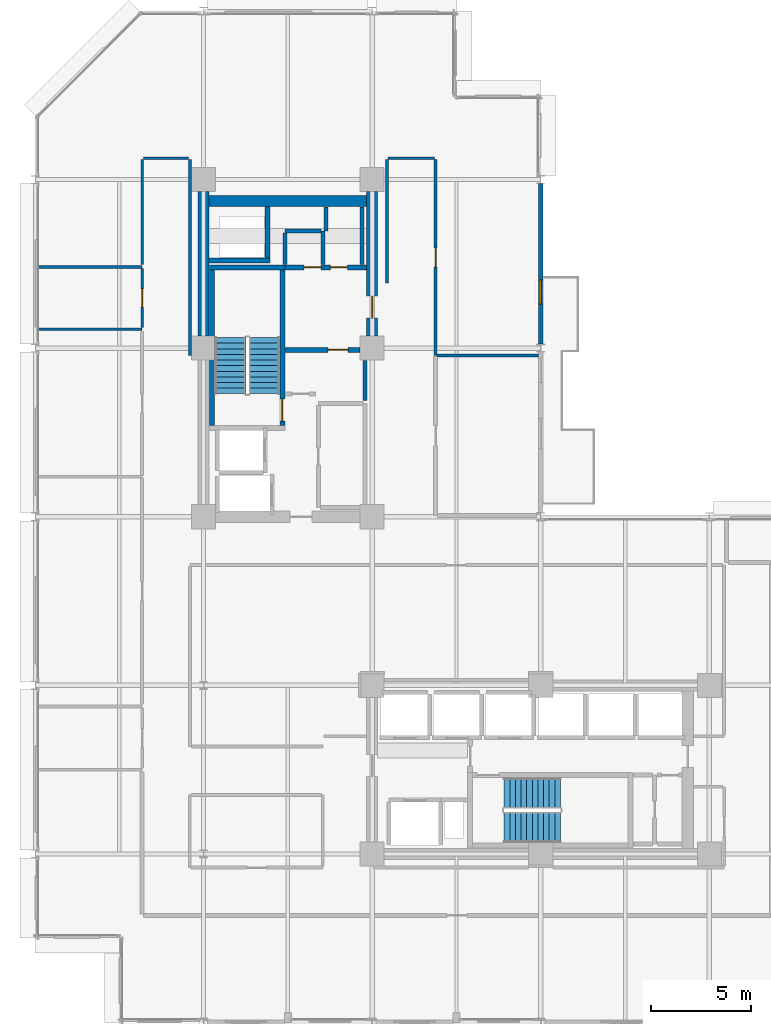
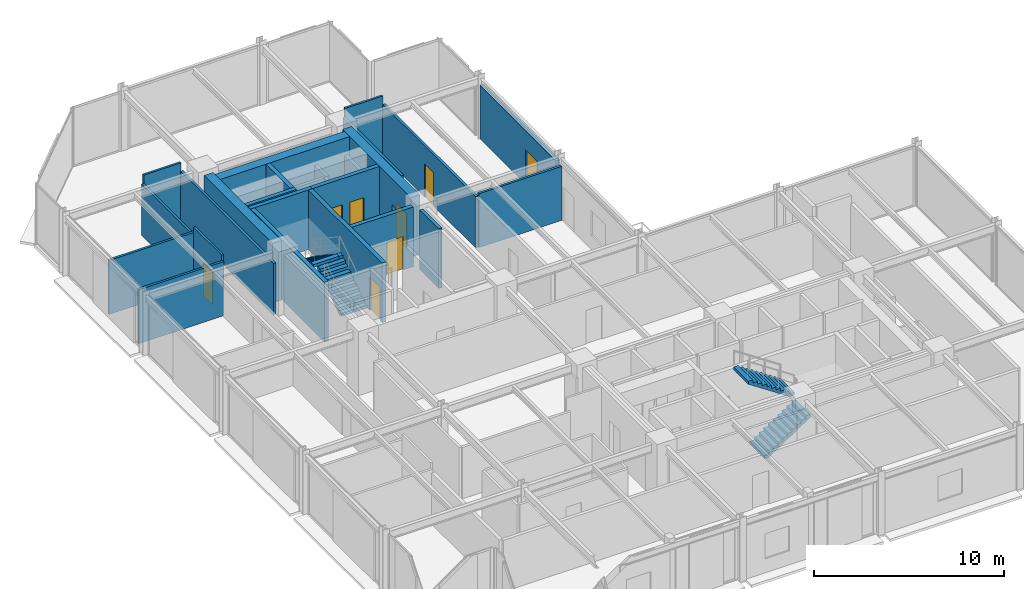
# One storey, part 26 of 30: 27 walls, 8 doors, 4 stair flights, 8 openings, 2 elements without a shape of their own.
"""IFC4 building model written with IfcOpenShell, lengths in metres."""

import ifcopenshell
import ifcopenshell.guid

model = None  # the IFC model being written
_history = None  # IfcOwnerHistory: only IFC2X3 demands one
_inside = {}  # id of a spatial element -> (the spatial element, [elements in it])
_under = {}  # id of a project, library or spatial element -> (it, [spatial elements below it])
_declared = {}  # id of a project -> (the project, [libraries it declares])
_typed = {}  # id of a type object -> (the type object, [elements of that type])
_made_of = {}  # id of a material, layer set ... -> (it, [elements and type objects made of it])


def new_model(schema):
    """Start an empty IFC model of exactly this schema.

    Asked for "IFC4X3", IfcOpenShell would pick the latest addendum, in which some entities
    have other attributes; the version numbers below select the first issue.
    IFC2X3 requires an IfcOwnerHistory on every rooted entity: one is made here for all.
    """
    global model, _history
    if schema == "IFC4X3":
        model = ifcopenshell.file(schema_version=(4, 3, 0, 0))
    else:
        model = ifcopenshell.file(schema=schema)
    _inside.clear()
    _under.clear()
    _declared.clear()
    _typed.clear()
    _made_of.clear()
    _history = None
    if model.schema == "IFC2X3":
        org = make("IfcOrganization", Name="unknown")
        user = make(
            "IfcPersonAndOrganization",
            ThePerson=make("IfcPerson", FamilyName="unknown"),
            TheOrganization=org,
        )
        app = make(
            "IfcApplication",
            ApplicationDeveloper=org,
            Version="unknown",
            ApplicationFullName="unknown",
            ApplicationIdentifier="unknown",
        )
        _history = make(
            "IfcOwnerHistory",
            OwningUser=user,
            OwningApplication=app,
            ChangeAction="ADDED",
            CreationDate=0,
        )
    return model


def make(cls, **values):
    """One entity of the class cls with the attributes given. An attribute that is None is left unset."""
    return model.create_entity(
        cls, **{name: value for name, value in values.items() if value is not None}
    )


def rooted(cls, **values):
    """An entity with a GlobalId (a new one), such as an element, a storey or a relation."""
    return make(cls, GlobalId=ifcopenshell.guid.new(), OwnerHistory=_history, **values)


def si_unit(unit_type, name, prefix=None):
    """IfcSIUnit, for example si_unit("LENGTHUNIT", "METRE", prefix="MILLI")."""
    return make("IfcSIUnit", UnitType=unit_type, Prefix=prefix, Name=name)


def assignment(units):
    """IfcUnitAssignment: the units of a project."""
    return None if units is None else make("IfcUnitAssignment", Units=units)


def point(xyz):
    """IfcCartesianPoint."""
    return None if xyz is None else make("IfcCartesianPoint", Coordinates=xyz)


def direction(xyz):
    """IfcDirection."""
    return None if xyz is None else make("IfcDirection", DirectionRatios=xyz)


def frame(location, z_axis=None, x_axis=None):
    """IfcAxis2Placement3D, a coordinate frame: its origin and axes. An axis left out is left unset."""
    return make(
        "IfcAxis2Placement3D",
        Location=point(location),
        Axis=direction(z_axis),
        RefDirection=direction(x_axis),
    )


def frame_2d(location, x_axis=None):
    """IfcAxis2Placement2D, a coordinate frame in the plane: its origin and x axis."""
    return make(
        "IfcAxis2Placement2D", Location=point(location), RefDirection=direction(x_axis)
    )


def origin():
    """The frame at (0, 0, 0) with its axes left unset."""
    return frame((0.0, 0.0, 0.0))


def place(relative_to, where):
    """IfcLocalPlacement: puts the frame where relative to a parent placement (None: the world)."""
    return make(
        "IfcLocalPlacement", PlacementRelTo=relative_to, RelativePlacement=where
    )


def context(
    kind, dimensions, precision=None, world=None, true_north=None, identifier=None
):
    """IfcGeometricRepresentationContext, for example the 3D "Model" context."""
    return make(
        "IfcGeometricRepresentationContext",
        ContextIdentifier=identifier,
        ContextType=kind,
        CoordinateSpaceDimension=dimensions,
        Precision=precision,
        WorldCoordinateSystem=world,
        TrueNorth=true_north,
    )


def subcontext(parent, identifier, kind, view, scale=None):
    """IfcGeometricRepresentationSubContext, for example "Body" below "Model"."""
    return make(
        "IfcGeometricRepresentationSubContext",
        ContextIdentifier=identifier,
        ContextType=kind,
        ParentContext=parent,
        TargetScale=scale,
        TargetView=view,
    )


def project(units=None, contexts=None):
    """IfcProject with its units and contexts."""
    return rooted(
        "IfcProject",
        Name="project",
        RepresentationContexts=contexts,
        UnitsInContext=assignment(units),
    )


def spatial(cls, under=None, at=None, **own):
    """A site, building, storey or space (cls), placed at a placement, below another one or the project."""
    s = rooted(cls, ObjectPlacement=at, **own)
    if under is not None:
        _under.setdefault(under.id(), (under, []))[1].append(s)
    return s


def polyline(points):
    """IfcPolyline through the points."""
    return make("IfcPolyline", Points=[point(p) for p in points])


def profile(cls, at=None, kind="AREA", **sizes):
    """A parametric profile (cls). Its sizes go by their IFC names, for example OverallWidth=200.0."""
    return make(cls, ProfileType=kind, Position=at, **sizes)


def rectangle(**sizes):
    """IfcRectangleProfileDef."""
    return profile("IfcRectangleProfileDef", **sizes)


def outline(outer, holes=None, kind="AREA"):
    """IfcArbitraryClosedProfileDef: a profile drawn as a closed curve; with holes, ...WithVoids."""
    if holes is None:
        return make("IfcArbitraryClosedProfileDef", ProfileType=kind, OuterCurve=outer)
    return make(
        "IfcArbitraryProfileDefWithVoids",
        ProfileType=kind,
        OuterCurve=outer,
        InnerCurves=holes,
    )


def extrude(swept, where, along, depth):
    """IfcExtrudedAreaSolid: the profile swept, set in the frame where, extruded along a direction by depth."""
    return make(
        "IfcExtrudedAreaSolid",
        SweptArea=swept,
        Position=where,
        ExtrudedDirection=direction(along),
        Depth=depth,
    )


def shape(context_of_items, identifier, shape_type, items):
    """IfcShapeRepresentation: the items that make up one representation, for example the "Body"."""
    return make(
        "IfcShapeRepresentation",
        ContextOfItems=context_of_items,
        RepresentationIdentifier=identifier,
        RepresentationType=shape_type,
        Items=items,
    )


def material(Name=None, Category=None):
    """IfcMaterial."""
    return make("IfcMaterial", Name=Name, Category=Category)


def layer(
    of_material, thickness, ventilated=None, Name=None, Category=None, Priority=None
):
    """IfcMaterialLayer: one layer of a wall or slab, of a material (None: an air gap)."""
    return make(
        "IfcMaterialLayer",
        Material=of_material,
        LayerThickness=thickness,
        IsVentilated=ventilated,
        Name=Name,
        Category=Category,
        Priority=Priority,
    )


def layer_set(layers, Name=None):
    """IfcMaterialLayerSet."""
    return make("IfcMaterialLayerSet", MaterialLayers=layers, LayerSetName=Name)


def made_of(thing, what):
    """Note that an element or type object is made of a material, layer set ...; save() writes the relation."""
    if what is not None:
        _made_of.setdefault(what.id(), (what, []))[1].append(thing)
    return thing


def type_object(cls, material=None, **own):
    """A type object (cls), such as IfcWallType, which elements share."""
    return made_of(rooted(cls, **own), material)


def element(
    cls,
    number,
    at=None,
    inside=None,
    cuts=None,
    type_object=None,
    material=None,
    context=None,
    identifier="Body",
    shape_type=None,
    held_by="IfcProductDefinitionShape",
    body=None,
    shapes=None,
    **own,
):
    """One element of the class cls, such as IfcWall. Its Tag is "e" and its number.

    at: its placement. inside: the storey or other place that contains it. cuts: it is an
    opening in that element (IfcRelVoidsElement). A single representation is given by context,
    identifier, shape_type and body (its items); several are given by shapes. held_by: the class
    of the entity that holds the representations. save() writes the other relations.
    """
    e = rooted(cls, Tag="e%d" % number, ObjectPlacement=at, **own)
    if body is not None:
        shapes = [shape(context, identifier, shape_type, body)]
    if shapes is not None:
        e.Representation = make(held_by, Representations=shapes)
    if inside is not None:
        _inside.setdefault(inside.id(), (inside, []))[1].append(e)
    if cuts is not None:
        rooted(
            "IfcRelVoidsElement", RelatingBuildingElement=cuts, RelatedOpeningElement=e
        )
    if type_object is not None:
        _typed.setdefault(type_object.id(), (type_object, []))[1].append(e)
    return made_of(e, material)


def fill(opening, filler):
    """IfcRelFillsElement: the door or window that sits in an opening."""
    return rooted(
        "IfcRelFillsElement",
        RelatingOpeningElement=opening,
        RelatedBuildingElement=filler,
    )


def aggregate(whole, parts):
    """IfcRelAggregates: a whole, such as a stair, and the parts it consists of."""
    return rooted("IfcRelAggregates", RelatingObject=whole, RelatedObjects=parts)


def save(model, path):
    """Write the relations noted so far, then the file.

    IfcRelAggregates (storeys below a building ...), IfcRelContainedInSpatialStructure (elements
    in a storey), IfcRelDefinesByType, IfcRelAssociatesMaterial and IfcRelDeclares: one each for
    every whole, place, type object, material and project.
    """
    for whole, parts in _under.values():
        aggregate(whole, parts)
    for where, things in _inside.values():
        rooted(
            "IfcRelContainedInSpatialStructure",
            RelatedElements=things,
            RelatingStructure=where,
        )
    for kind, things in _typed.values():
        rooted("IfcRelDefinesByType", RelatedObjects=things, RelatingType=kind)
    for what, things in _made_of.values():
        rooted("IfcRelAssociatesMaterial", RelatedObjects=things, RelatingMaterial=what)
    for by, libraries in _declared.values():
        rooted("IfcRelDeclares", RelatingContext=by, RelatedDefinitions=libraries)
    model.write(path)


model = new_model("IFC4")

# Units and contexts
model_context = context("Model", 3, precision=1e-05, world=origin(), true_north=direction((0.0, 1.0)))
body_context = subcontext(model_context, "Body", "Model", "MODEL_VIEW")
ifc_project = project(units=[si_unit("LENGTHUNIT", "METRE"), si_unit("AREAUNIT", "SQUARE_METRE"), si_unit("VOLUMEUNIT", "CUBIC_METRE"), si_unit("PLANEANGLEUNIT", "RADIAN"), si_unit("MASSUNIT", "GRAM", prefix="KILO")], contexts=[model_context])

# Site, building, storey
site_placement = place(None, origin())
site = spatial("IfcSite", under=ifc_project, at=site_placement, CompositionType="ELEMENT")
building_placement = place(site_placement, origin())
building = spatial("IfcBuilding", under=site, at=building_placement, Name="Nerrivon Quay Data Exchange", CompositionType="ELEMENT")
storey_placement = place(building_placement, frame((0.0, 0.0, 129.5)))
storey = spatial("IfcBuildingStorey", under=building, at=storey_placement, Name="L30", CompositionType="ELEMENT", Elevation=129.5)

# Wall, opening, door
ifc_material_1 = material(Name="Architectural terracotta precast concrete N50 (50 MPa)", Category="masonry")
ifc_layer_1 = layer(ifc_material_1, 0.239990234375)
ifc_layer_set_1 = layer_set([ifc_layer_1], Name="Architectural terracotta precast concrete N50 (50 MPa)")
wall_type_1 = type_object("IfcWallType", Name="EW-PREC-240", PredefinedType="STANDARD", material=ifc_layer_set_1)
wall_1_placement = place(storey_placement, frame((25.199951171875, 41.800048828125, 0.0), z_axis=(0.0, 0.0, 1.0), x_axis=(0.0, -1.0, 0.0)))
wall_1 = element("IfcWall", 1, at=wall_1_placement, inside=storey, type_object=wall_type_1, Name="L30 Terrace Host Wall 24", PredefinedType="STANDARD", context=body_context, shape_type="SweptSolid", body=[
    extrude(rectangle(XDim=8.0, YDim=0.239990234375, at=frame_2d((4.0, 0.0))), origin(), (0.0, 0.0, 1.0), 3.422119140625),
])
opening_1_placement = place(wall_1_placement, frame((4.800048828125, 0.0, 0.0)))
opening_1 = element("IfcOpeningElement", 2, at=opening_1_placement, cuts=wall_1, Name="Opening TD1", PredefinedType="OPENING", context=body_context, shape_type="SweptSolid", body=[
    extrude(rectangle(XDim=1.199951171875, YDim=2.199951171875, at=frame_2d((0.60009765625, 1.10009765625))), frame((0.0, 0.1298828125, 0.0), z_axis=(0.0, -1.0, 0.0), x_axis=(1.0, 0.0, 0.0)), (0.0, 0.0, 1.0), 0.260009765625),
])
ifc_material_2 = material(Name="Double-glazed low-E solar control glass", Category="glass")
door_type_1 = type_object("IfcDoorType", Name="DR-TERR-1200x2200", OperationType="NOTDEFINED", PredefinedType="DOOR", material=ifc_material_2)
door_1_placement = place(opening_1_placement, origin())
door_1 = element("IfcDoor", 3, at=door_1_placement, inside=storey, type_object=door_type_1, Name="L30 Outdoor Terrace Access Door 24", OperationType="SINGLE_SWING_LEFT", OverallHeight=2.199951171875, OverallWidth=1.199951171875, PredefinedType="DOOR", context=body_context, shape_type="SweptSolid", body=[
    extrude(rectangle(XDim=1.199951171875, YDim=2.199951171875, at=frame_2d((0.60009765625, 1.10009765625))), frame((0.0, 0.02490234375, 0.0), z_axis=(0.0, -1.0, 0.0), x_axis=(1.0, 0.0, 0.0)), (0.0, 0.0, 1.0), 0.050048828125),
])
fill(opening_1, door_1)

# Walls
ifc_material_3 = material(Name="Concrete S65 (65 MPa)", Category="concrete")
ifc_layer_2 = layer(ifc_material_3, 0.550048828125)
ifc_layer_set_2 = layer_set([ifc_layer_2], Name="Concrete S65 (65 MPa)")
wall_type_2 = type_object("IfcWallType", Name="WALL-CW-700", PredefinedType="SHEAR", material=ifc_layer_set_2)
wall_2_placement = place(storey_placement, frame((8.39990234375, 34.199951171875, 0.0), z_axis=(0.0, 0.0, 1.0), x_axis=(0.0, 1.0, 0.0)))
element("IfcWall", 4, at=wall_2_placement, inside=storey, type_object=wall_type_2, Name="L30 West Split-Core Shear Wall WCW-W2", PredefinedType="SHEAR", context=body_context, shape_type="SweptSolid", body=[
    extrude(rectangle(XDim=7.199951171875, YDim=0.550048828125, at=frame_2d((3.60009765625, 0.0))), origin(), (0.0, 0.0, 1.0), 3.824951171875),
])
wall_3_placement = place(storey_placement, frame((8.675048828125, 40.925048828125, 0.0), z_axis=(0.0, 0.0, 1.0), x_axis=(1.0, 0.0, 0.0)))
element("IfcWall", 5, at=wall_3_placement, inside=storey, type_object=wall_type_2, Name="L30 West Split-Core Shear Wall WCW-N1", PredefinedType="SHEAR", context=body_context, shape_type="SweptSolid", body=[
    extrude(rectangle(XDim=7.849853515625, YDim=0.550048828125, at=frame_2d((3.9248046875, 0.0))), origin(), (0.0, 0.0, 1.0), 3.824951171875),
])

# Wall, opening, door
wall_4_placement = place(storey_placement, frame((16.800048828125, 34.199951171875, 0.0), z_axis=(0.0, 0.0, 1.0), x_axis=(0.0, 1.0, 0.0)))
wall_4 = element("IfcWall", 6, at=wall_4_placement, inside=storey, type_object=wall_type_2, Name="L30 West Split-Core Shear Wall WCW-E1", PredefinedType="SHEAR", context=body_context, shape_type="SweptSolid", body=[
    extrude(rectangle(XDim=7.199951171875, YDim=0.550048828125, at=frame_2d((3.60009765625, 0.0))), origin(), (0.0, 0.0, 1.0), 3.824951171875),
])
opening_2_placement = place(wall_4_placement, frame((0.89990234375, 0.0, 0.0)))
opening_2 = element("IfcOpeningElement", 7, at=opening_2_placement, cuts=wall_4, Name="Opening FD-120", PredefinedType="OPENING", context=body_context, shape_type="SweptSolid", body=[
    extrude(rectangle(XDim=1.10009765625, YDim=2.14990234375, at=frame_2d((0.550048828125, 1.074951171875))), frame((0.0, 0.284912109375, 0.0), z_axis=(0.0, -1.0, 0.0), x_axis=(1.0, 0.0, 0.0)), (0.0, 0.0, 1.0), 0.570068359375),
])
ifc_material_4 = material(Name="Powder-coated galvanized steel sheet", Category="steel")
door_type_2 = type_object("IfcDoorType", Name="DR-FD120-1100", OperationType="NOTDEFINED", PredefinedType="DOOR", material=ifc_material_4)
door_2_placement = place(opening_2_placement, origin())
door_2 = element("IfcDoor", 8, at=door_2_placement, inside=storey, type_object=door_type_2, Name="L30 West Core Lobby Fire Door", OperationType="SINGLE_SWING_LEFT", OverallHeight=2.14990234375, OverallWidth=1.10009765625, PredefinedType="DOOR", context=body_context, shape_type="SweptSolid", body=[
    extrude(rectangle(XDim=1.10009765625, YDim=2.14990234375, at=frame_2d((0.550048828125, 1.074951171875))), frame((0.0, 0.02490234375, 0.0), z_axis=(0.0, -1.0, 0.0), x_axis=(1.0, 0.0, 0.0)), (0.0, 0.0, 1.0), 0.050048828125),
])
fill(opening_2, door_2)

# Walls
ifc_material_5 = material(Name="Gypsum plasterboard on cold-formed framing", Category="gypsum")
ifc_layer_3 = layer(ifc_material_5, 0.199951171875)
ifc_layer_set_3 = layer_set([ifc_layer_3], Name="Gypsum plasterboard on cold-formed framing")
wall_type_3 = type_object("IfcWallType", Name="WALL-FW-200", PredefinedType="PARTITIONING", material=ifc_layer_set_3)
wall_5_placement = place(storey_placement, frame((16.449951171875, 31.0, 0.0), z_axis=(0.0, 0.0, 1.0), x_axis=(0.0, 1.0, 0.0)))
element("IfcWall", 9, at=wall_5_placement, inside=storey, type_object=wall_type_3, Name="L30 Partition Core Equipment Closet", PredefinedType="PARTITIONING", context=body_context, shape_type="SweptSolid", body=[
    extrude(rectangle(XDim=1.9951171875, YDim=0.199951171875, at=frame_2d((0.99755859375, 0.0))), origin(), (0.0, 0.0, 1.0), 3.824951171875),
])
wall_6_placement = place(storey_placement, frame((14.35009765625, 37.780029296875, 0.0), z_axis=(0.0, 0.0, 1.0), x_axis=(0.0, 1.0, 0.0)))
element("IfcWall", 10, at=wall_6_placement, inside=storey, type_object=wall_type_3, Name="L30 Partition Equipment Store", PredefinedType="PARTITIONING", context=body_context, shape_type="SweptSolid", body=[
    extrude(rectangle(XDim=1.669921875, YDim=0.199951171875, at=frame_2d((0.8349609375, 0.0))), origin(), (0.0, 0.0, 1.0), 2.72509765625),
])
wall_7_placement = place(storey_placement, frame((14.24609375, 39.449951171875, 0.0), z_axis=(0.0, 0.0, 1.0), x_axis=(-1.0, 0.0, 0.0)))
element("IfcWall", 11, at=wall_7_placement, inside=storey, type_object=wall_type_3, Name="L30 Partition Equipment Store", PredefinedType="PARTITIONING", context=body_context, shape_type="SweptSolid", body=[
    extrude(rectangle(XDim=1.796142578125, YDim=0.199951171875, at=frame_2d((0.89794921875, 0.0))), origin(), (0.0, 0.0, 1.0), 2.72509765625),
])
wall_8_placement = place(storey_placement, frame((12.449951171875, 39.345947265625, 0.0), z_axis=(0.0, 0.0, 1.0), x_axis=(0.0, -1.0, 0.0)))
element("IfcWall", 12, at=wall_8_placement, inside=storey, type_object=wall_type_3, Name="L30 Partition Equipment Store", PredefinedType="PARTITIONING", context=body_context, shape_type="SweptSolid", body=[
    extrude(rectangle(XDim=1.56591796875, YDim=0.199951171875, at=frame_2d((0.782958984375, 0.0))), origin(), (0.0, 0.0, 1.0), 2.72509765625),
])
wall_9_placement = place(storey_placement, frame((16.300048828125, 37.780029296875, 0.0), z_axis=(0.0, 0.0, 1.0), x_axis=(0.0, 1.0, 0.0)))
element("IfcWall", 13, at=wall_9_placement, inside=storey, type_object=wall_type_3, Name="L30 Partition Cleaners Store", PredefinedType="PARTITIONING", context=body_context, shape_type="SweptSolid", body=[
    extrude(rectangle(XDim=2.865966796875, YDim=0.199951171875, at=frame_2d((1.43310546875, 0.0))), origin(), (0.0, 0.0, 1.0), 2.72509765625),
])
wall_10_placement = place(storey_placement, frame((14.489990234375, 40.64599609375, 0.0), z_axis=(0.0, 0.0, 1.0), x_axis=(0.0, -1.0, 0.0)))
element("IfcWall", 14, at=wall_10_placement, inside=storey, type_object=wall_type_3, Name="L30 Partition Cleaners Store", PredefinedType="PARTITIONING", context=body_context, shape_type="SweptSolid", body=[
    extrude(rectangle(XDim=1.196044921875, YDim=0.199951171875, at=frame_2d((0.59814453125, 0.0))), origin(), (0.0, 0.0, 1.0), 2.72509765625),
])

# Wall, opening, door
ifc_layer_4 = layer(ifc_material_5, 0.1201171875)
ifc_layer_set_4 = layer_set([ifc_layer_4], Name="Gypsum plasterboard on cold-formed framing")
wall_type_4 = type_object("IfcWallType", Name="WALL-PT-120", PredefinedType="PARTITIONING", material=ifc_layer_set_4)
wall_11_placement = place(storey_placement, frame((5.340087890625, 34.62158203125, 0.0), z_axis=(0.0, 0.0, 1.0), x_axis=(0.0, 1.0, 0.0)))
wall_11 = element("IfcWall", 15, at=wall_11_placement, inside=storey, type_object=wall_type_4, Name="L30 Partition Public Washrooms", PredefinedType="PARTITIONING", context=body_context, shape_type="SweptSolid", body=[
    extrude(rectangle(XDim=2.95703125, YDim=0.1201171875, at=frame_2d((1.478515625, 0.0))), origin(), (0.0, 0.0, 1.0), 3.824951171875),
])
opening_3_placement = place(wall_11_placement, frame((1.0185546875, 0.0, 0.0)))
opening_3 = element("IfcOpeningElement", 16, at=opening_3_placement, cuts=wall_11, Name="Opening D-WC", PredefinedType="OPENING", context=body_context, shape_type="SweptSolid", body=[
    extrude(rectangle(XDim=0.919921875, YDim=2.10009765625, at=frame_2d((0.4599609375, 1.050048828125))), frame((0.0, 0.070068359375, 0.0), z_axis=(0.0, -1.0, 0.0), x_axis=(1.0, 0.0, 0.0)), (0.0, 0.0, 1.0), 0.14013671875),
])
ifc_material_6 = material(Name="Engineered hardwood timber", Category="wood")
door_type_3 = type_object("IfcDoorType", Name="DR-WC-920", OperationType="NOTDEFINED", PredefinedType="DOOR", material=ifc_material_6)
door_3_placement = place(opening_3_placement, origin())
door_3 = element("IfcDoor", 17, at=door_3_placement, inside=storey, type_object=door_type_3, Name="L30 Door Public Washrooms", OperationType="SINGLE_SWING_RIGHT", OverallHeight=2.10009765625, OverallWidth=0.919921875, PredefinedType="DOOR", context=body_context, shape_type="SweptSolid", body=[
    extrude(rectangle(XDim=0.919921875, YDim=2.10009765625, at=frame_2d((0.4599609375, 1.050048828125))), frame((0.0, 0.02490234375, 0.0), z_axis=(0.0, -1.0, 0.0), x_axis=(1.0, 0.0, 0.0)), (0.0, 0.0, 1.0), 0.050048828125),
])
fill(opening_3, door_3)

# Walls
wall_12_placement = place(storey_placement, frame((5.39990234375, 43.06005859375, 0.0), z_axis=(0.0, 0.0, 1.0), x_axis=(1.0, 0.0, 0.0)))
element("IfcWall", 18, at=wall_12_placement, inside=storey, type_object=wall_type_4, Name="L30 Partition Technical Library", PredefinedType="PARTITIONING", context=body_context, shape_type="SweptSolid", body=[
    extrude(rectangle(XDim=2.25, YDim=0.1201171875, at=frame_2d((1.125, 0.0))), origin(), (0.0, 0.0, 1.0), 3.824951171875),
])
wall_13_placement = place(storey_placement, frame((17.60009765625, 43.06005859375, 0.0), z_axis=(0.0, 0.0, 1.0), x_axis=(1.0, 0.0, 0.0)))
element("IfcWall", 19, at=wall_13_placement, inside=storey, type_object=wall_type_4, Name="L30 Partition Technical Library", PredefinedType="PARTITIONING", context=body_context, shape_type="SweptSolid", body=[
    extrude(rectangle(XDim=2.2998046875, YDim=0.1201171875, at=frame_2d((1.14990234375, 0.0))), origin(), (0.0, 0.0, 1.0), 3.824951171875),
])
ifc_layer_5 = layer(ifc_material_5, 0.135009765625)
ifc_layer_set_5 = layer_set([ifc_layer_5], Name="Gypsum plasterboard on cold-formed framing")
wall_type_5 = type_object("IfcWallType", Name="WALL-PT-135", PredefinedType="PARTITIONING", material=ifc_layer_set_5)
for number, where, z_axis, x_axis, name in (
    (20, (5.340087890625, 37.64990234375, 0.0), (0.0, 0.0, 1.0), (-1.0, 0.0, 0.0), "L30 Partition Public Washrooms"),
    (21, (0.1689453125, 34.550048828125, 0.0), (0.0, 0.0, 1.0), (1.0, 0.0, 0.0), "L30 Partition Public Washrooms"),
):
    element("IfcWall", number, at=place(storey_placement, frame(where, z_axis=z_axis, x_axis=x_axis)), inside=storey, type_object=wall_type_5, Name=name, PredefinedType="PARTITIONING", context=body_context, shape_type="SweptSolid", body=[
        extrude(rectangle(XDim=5.171142578125, YDim=0.135009765625, at=frame_2d((2.58544921875, 0.0))), origin(), (0.0, 0.0, 1.0), 3.468994140625),
    ])
wall_14_placement = place(storey_placement, frame((20.0390625, 33.23193359375, 0.0), z_axis=(0.0, 0.0, 1.0), x_axis=(1.0, 0.0, 0.0)))
element("IfcWall", 22, at=wall_14_placement, inside=storey, type_object=wall_type_5, Name="L30 Partition Technical Library", PredefinedType="PARTITIONING", context=body_context, shape_type="SweptSolid", body=[
    extrude(rectangle(XDim=5.036865234375, YDim=0.135009765625, at=frame_2d((2.5185546875, 0.0))), origin(), (0.0, 0.0, 1.0), 3.468994140625),
])
wall_15_placement = place(storey_placement, frame((5.340087890625, 37.77001953125, 0.0), z_axis=(0.0, 0.0, 1.0), x_axis=(0.0, 1.0, 0.0)))
element("IfcWall", 23, at=wall_15_placement, inside=storey, type_object=wall_type_5, Name="L30 Partition Technical Library", PredefinedType="PARTITIONING", context=body_context, shape_type="SweptSolid", body=[
    extrude(rectangle(XDim=5.22998046875, YDim=0.135009765625, at=frame_2d((2.614990234375, 0.0))), origin(), (0.0, 0.0, 1.0), 3.2919921875),
])

# Wall, opening, door
ifc_layer_6 = layer(ifc_material_5, 0.14990234375)
ifc_layer_set_6 = layer_set([ifc_layer_6], Name="Gypsum plasterboard on cold-formed framing")
wall_type_6 = type_object("IfcWallType", Name="WALL-PT-150", PredefinedType="PARTITIONING", material=ifc_layer_set_6)
wall_16_placement = place(storey_placement, frame((19.9599609375, 43.0, 0.0), z_axis=(0.0, 0.0, 1.0), x_axis=(0.0, -1.0, 0.0)))
wall_16 = element("IfcWall", 24, at=wall_16_placement, inside=storey, type_object=wall_type_6, Name="L30 Partition Technical Library", PredefinedType="PARTITIONING", context=body_context, shape_type="SweptSolid", body=[
    extrude(rectangle(XDim=9.76806640625, YDim=0.14990234375, at=frame_2d((4.884033203125, 0.0))), origin(), (0.0, 0.0, 1.0), 3.2919921875),
])
opening_4_placement = place(wall_16_placement, frame((4.408935546875, 0.0, 0.0)))
opening_4 = element("IfcOpeningElement", 25, at=opening_4_placement, cuts=wall_16, Name="Opening D-01", PredefinedType="OPENING", context=body_context, shape_type="SweptSolid", body=[
    extrude(rectangle(XDim=0.949951171875, YDim=2.14990234375, at=frame_2d((0.47509765625, 1.074951171875))), frame((0.0, 0.0849609375, 0.0), z_axis=(0.0, -1.0, 0.0), x_axis=(1.0, 0.0, 0.0)), (0.0, 0.0, 1.0), 0.169921875),
])
door_type_4 = type_object("IfcDoorType", Name="DR-INT-950", OperationType="NOTDEFINED", PredefinedType="DOOR", material=ifc_material_6)
door_4_placement = place(opening_4_placement, origin())
door_4 = element("IfcDoor", 26, at=door_4_placement, inside=storey, type_object=door_type_4, Name="L30 Door Technical Library", OperationType="SINGLE_SWING_RIGHT", OverallHeight=2.14990234375, OverallWidth=0.949951171875, PredefinedType="DOOR", context=body_context, shape_type="SweptSolid", body=[
    extrude(rectangle(XDim=0.949951171875, YDim=2.14990234375, at=frame_2d((0.47509765625, 1.074951171875))), frame((0.0, 0.02490234375, 0.0), z_axis=(0.0, -1.0, 0.0), x_axis=(1.0, 0.0, 0.0)), (0.0, 0.0, 1.0), 0.050048828125),
])
fill(opening_4, door_4)

# Walls
wall_17_placement = place(storey_placement, frame((7.7099609375, 43.0, 0.0), z_axis=(0.0, 0.0, 1.0), x_axis=(0.0, -1.0, 0.0)))
element("IfcWall", 27, at=wall_17_placement, inside=storey, type_object=wall_type_6, Name="L30 Partition Technical Library", PredefinedType="PARTITIONING", context=body_context, shape_type="SweptSolid", body=[
    extrude(rectangle(XDim=9.76806640625, YDim=0.14990234375, at=frame_2d((4.884033203125, 0.0))), origin(), (0.0, 0.0, 1.0), 3.2919921875),
])
wall_18_placement = place(storey_placement, frame((17.5400390625, 36.860107421875, 0.0), z_axis=(0.0, 0.0, 1.0), x_axis=(0.0, 1.0, 0.0)))
element("IfcWall", 28, at=wall_18_placement, inside=storey, type_object=wall_type_6, Name="L30 Partition Technical Library", PredefinedType="PARTITIONING", context=body_context, shape_type="SweptSolid", body=[
    extrude(rectangle(XDim=6.139892578125, YDim=0.14990234375, at=frame_2d((3.06982421875, 0.0))), origin(), (0.0, 0.0, 1.0), 3.2919921875),
])
ifc_material_7 = material(Name="Concrete N50 (50 MPa)", Category="concrete")
ifc_layer_7 = layer(ifc_material_7, 0.25)
ifc_layer_set_7 = layer_set([ifc_layer_7], Name="Concrete N50 (50 MPa)")
wall_type_7 = type_object("IfcWallType", Name="WALL-SW-250", PredefinedType="SHEAR", material=ifc_layer_set_7)
wall_19_placement = place(storey_placement, frame((12.449951171875, 37.625, 0.0), z_axis=(0.0, 0.0, 1.0), x_axis=(-1.0, 0.0, 0.0)))
element("IfcWall", 29, at=wall_19_placement, inside=storey, type_object=wall_type_7, Name="L30 ST01 Structural Stair Core Wall FAR", PredefinedType="SHEAR", context=body_context, shape_type="SweptSolid", body=[
    extrude(rectangle(XDim=3.75, YDim=0.25, at=frame_2d((1.875, 0.0))), origin(), (0.0, 0.0, 1.0), 3.824951171875),
])

# Wall, opening, door
wall_20_placement = place(storey_placement, frame((12.324951171875, 29.75, 0.0), z_axis=(0.0, 0.0, 1.0), x_axis=(0.0, 1.0, 0.0)))
wall_20 = element("IfcWall", 30, at=wall_20_placement, inside=storey, type_object=wall_type_7, Name="L30 ST01 Structural Stair Core Wall LEFT", PredefinedType="SHEAR", context=body_context, shape_type="SweptSolid", body=[
    extrude(rectangle(XDim=7.75, YDim=0.25, at=frame_2d((3.875, 0.0))), origin(), (0.0, 0.0, 1.0), 3.824951171875),
])
opening_5_placement = place(wall_20_placement, frame((0.219970703125, 0.0, 0.0)))
opening_5 = element("IfcOpeningElement", 31, at=opening_5_placement, cuts=wall_20, Name="Opening FD-120", PredefinedType="OPENING", context=body_context, shape_type="SweptSolid", body=[
    extrude(rectangle(XDim=1.10009765625, YDim=2.14990234375, at=frame_2d((0.550048828125, 1.074951171875))), frame((0.0, 0.135009765625, 0.0), z_axis=(0.0, -1.0, 0.0), x_axis=(1.0, 0.0, 0.0)), (0.0, 0.0, 1.0), 0.27001953125),
])
door_5_placement = place(opening_5_placement, origin())
door_5 = element("IfcDoor", 32, at=door_5_placement, inside=storey, type_object=door_type_2, Name="L30 Protected Stair Door ST01", OperationType="SINGLE_SWING_LEFT", OverallHeight=2.14990234375, OverallWidth=1.10009765625, PredefinedType="DOOR", context=body_context, shape_type="SweptSolid", body=[
    extrude(rectangle(XDim=1.10009765625, YDim=2.14990234375, at=frame_2d((0.550048828125, 1.074951171875))), frame((0.0, 0.02490234375, 0.0), z_axis=(0.0, -1.0, 0.0), x_axis=(1.0, 0.0, 0.0)), (0.0, 0.0, 1.0), 0.050048828125),
])
fill(opening_5, door_5)

# Walls
wall_21_placement = place(storey_placement, frame((8.824951171875, 29.75, 0.0), z_axis=(0.0, 0.0, 1.0), x_axis=(0.0, 1.0, 0.0)))
element("IfcWall", 33, at=wall_21_placement, inside=storey, type_object=wall_type_7, Name="L30 ST01 Structural Stair Core Wall RIGHT", PredefinedType="SHEAR", context=body_context, shape_type="SweptSolid", body=[
    extrude(rectangle(XDim=7.75, YDim=0.25, at=frame_2d((3.875, 0.0))), origin(), (0.0, 0.0, 1.0), 3.824951171875),
])
wall_22_placement = place(storey_placement, frame((8.675048828125, 37.97509765625, 0.0), z_axis=(0.0, 0.0, 1.0), x_axis=(1.0, 0.0, 0.0)))
element("IfcWall", 34, at=wall_22_placement, inside=storey, type_object=wall_type_7, Name="L30 West Core MEP Riser Shaft Wall S", PredefinedType="SHEAR", context=body_context, shape_type="SweptSolid", body=[
    extrude(rectangle(XDim=3.02490234375, YDim=0.25, at=frame_2d((1.512451171875, 0.0))), origin(), (0.0, 0.0, 1.0), 3.824951171875),
])
wall_23_placement = place(storey_placement, frame((11.574951171875, 38.10009765625, 0.0), z_axis=(0.0, 0.0, 1.0), x_axis=(0.0, 1.0, 0.0)))
element("IfcWall", 35, at=wall_23_placement, inside=storey, type_object=wall_type_7, Name="L30 West Core MEP Riser Shaft Wall E", PredefinedType="SHEAR", context=body_context, shape_type="SweptSolid", body=[
    extrude(rectangle(XDim=2.5498046875, YDim=0.25, at=frame_2d((1.27490234375, 0.0))), origin(), (0.0, 0.0, 1.0), 3.824951171875),
])

# Wall, opening, door
wall_24_placement = place(storey_placement, frame((12.449951171875, 33.52001953125, 0.0), z_axis=(0.0, 0.0, 1.0), x_axis=(1.0, 0.0, 0.0)))
wall_24 = element("IfcWall", 36, at=wall_24_placement, inside=storey, type_object=wall_type_7, Name="L30 West Lobby Smoke-Stop Wall", PredefinedType="SHEAR", context=body_context, shape_type="SweptSolid", body=[
    extrude(rectangle(XDim=3.75, YDim=0.25, at=frame_2d((1.875, 0.0))), origin(), (0.0, 0.0, 1.0), 3.824951171875),
])
opening_6_placement = place(wall_24_placement, frame((2.14990234375, 0.0, 0.0)))
opening_6 = element("IfcOpeningElement", 37, at=opening_6_placement, cuts=wall_24, Name="Opening FD-60", PredefinedType="OPENING", context=body_context, shape_type="SweptSolid", body=[
    extrude(rectangle(XDim=1.0, YDim=2.14990234375, at=frame_2d((0.5, 1.074951171875))), frame((0.0, 0.135009765625, 0.0), z_axis=(0.0, -1.0, 0.0), x_axis=(1.0, 0.0, 0.0)), (0.0, 0.0, 1.0), 0.27001953125),
])
door_type_5 = type_object("IfcDoorType", Name="DR-FD60-1000", OperationType="NOTDEFINED", PredefinedType="DOOR", material=ifc_material_6)
door_6_placement = place(opening_6_placement, origin())
door_6 = element("IfcDoor", 38, at=door_6_placement, inside=storey, type_object=door_type_5, Name="L30 West Firefighting Lobby Fire Door", OperationType="SINGLE_SWING_LEFT", OverallHeight=2.14990234375, OverallWidth=1.0, PredefinedType="DOOR", context=body_context, shape_type="SweptSolid", body=[
    extrude(rectangle(XDim=1.0, YDim=2.14990234375, at=frame_2d((0.5, 1.074951171875))), frame((0.0, 0.02490234375, 0.0), z_axis=(0.0, -1.0, 0.0), x_axis=(1.0, 0.0, 0.0)), (0.0, 0.0, 1.0), 0.050048828125),
])
fill(opening_6, door_6)

# Wall, openings, doors
wall_25_placement = place(storey_placement, frame((12.449951171875, 37.625, 0.0), z_axis=(0.0, 0.0, 1.0), x_axis=(1.0, 0.0, 0.0)))
wall_25 = element("IfcWall", 39, at=wall_25_placement, inside=storey, type_object=wall_type_7, Name="L30 West Firefighting Lobby Wall", PredefinedType="SHEAR", context=body_context, shape_type="SweptSolid", body=[
    extrude(rectangle(XDim=4.074951171875, YDim=0.25, at=frame_2d((2.03759765625, 0.0))), origin(), (0.0, 0.0, 1.0), 3.824951171875),
])
opening_7_placement = place(wall_25_placement, frame((0.96044921875, 0.0, 0.0)))
opening_7 = element("IfcOpeningElement", 40, at=opening_7_placement, cuts=wall_25, Name="Opening FD-60S", PredefinedType="OPENING", context=body_context, shape_type="SweptSolid", body=[
    extrude(rectangle(XDim=0.85009765625, YDim=2.14990234375, at=frame_2d((0.425048828125, 1.074951171875))), frame((0.0, 0.135009765625, 0.0), z_axis=(0.0, -1.0, 0.0), x_axis=(1.0, 0.0, 0.0)), (0.0, 0.0, 1.0), 0.27001953125),
])
opening_8_placement = place(wall_25_placement, frame((2.264404296875, 0.0, 0.0)))
opening_8 = element("IfcOpeningElement", 41, at=opening_8_placement, cuts=wall_25, Name="Opening FD-60S", PredefinedType="OPENING", context=body_context, shape_type="SweptSolid", body=[
    extrude(rectangle(XDim=0.85009765625, YDim=2.14990234375, at=frame_2d((0.425048828125, 1.074951171875))), frame((0.0, 0.135009765625, 0.0), z_axis=(0.0, -1.0, 0.0), x_axis=(1.0, 0.0, 0.0)), (0.0, 0.0, 1.0), 0.27001953125),
])
door_type_6 = type_object("IfcDoorType", Name="DR-FD60-850", OperationType="NOTDEFINED", PredefinedType="DOOR", material=ifc_material_6)
door_7_placement = place(opening_7_placement, origin())
door_7 = element("IfcDoor", 42, at=door_7_placement, inside=storey, type_object=door_type_6, Name="L30 Door Equipment Store", OperationType="SINGLE_SWING_LEFT", OverallHeight=2.14990234375, OverallWidth=0.85009765625, PredefinedType="DOOR", context=body_context, shape_type="SweptSolid", body=[
    extrude(rectangle(XDim=0.85009765625, YDim=2.14990234375, at=frame_2d((0.425048828125, 1.074951171875))), frame((0.0, 0.02490234375, 0.0), z_axis=(0.0, -1.0, 0.0), x_axis=(1.0, 0.0, 0.0)), (0.0, 0.0, 1.0), 0.050048828125),
])
fill(opening_7, door_7)
door_8_placement = place(opening_8_placement, origin())
door_8 = element("IfcDoor", 43, at=door_8_placement, inside=storey, type_object=door_type_6, Name="L30 Door Cleaners Store", OperationType="SINGLE_SWING_RIGHT", OverallHeight=2.14990234375, OverallWidth=0.85009765625, PredefinedType="DOOR", context=body_context, shape_type="SweptSolid", body=[
    extrude(rectangle(XDim=0.85009765625, YDim=2.14990234375, at=frame_2d((0.425048828125, 1.074951171875))), frame((0.0, 0.02490234375, 0.0), z_axis=(0.0, -1.0, 0.0), x_axis=(1.0, 0.0, 0.0)), (0.0, 0.0, 1.0), 0.050048828125),
])
fill(opening_8, door_8)

# Stair, stair flights
stair_type = type_object("IfcStairType", Name="STAIR-DOG-41", PredefinedType="HALF_TURN_STAIR", material=ifc_material_7)
stair_1_placement = place(storey_placement, origin())
stair_1 = element("IfcStair", 44, at=stair_1_placement, inside=storey, type_object=stair_type, Name="L30 West Core Fire Stair ST01", PredefinedType="HALF_TURN_STAIR")
stair_flight_type = type_object("IfcStairFlightType", Name="FLIGHT-DOG-41", PredefinedType="STRAIGHT", material=ifc_material_7)
stair_flight_1_placement = place(storey_placement, frame((11.425048828125, 31.330078125, 0.0), z_axis=(0.0, 0.0, 1.0), x_axis=(0.0, 1.0, 0.0)))
stair_flight_1 = element("IfcStairFlight", 45, at=stair_flight_1_placement, type_object=stair_flight_type, Name="ST01 flight 1", NumberOfRisers=11, NumberOfTreads=10, PredefinedType="STRAIGHT", RiserHeight=0.186363636, TreadLength=0.28, context=body_context, shape_type="SweptSolid", body=[
    extrude(outline(polyline([(0.0, 0.0), (0.0, 0.186279296875), (0.280029296875, 0.186279296875), (0.280029296875, 0.372802734375), (0.56005859375, 0.372802734375), (0.56005859375, 0.55908203125), (0.840087890625, 0.55908203125), (0.840087890625, 0.745361328125), (1.1201171875, 0.745361328125), (1.1201171875, 0.931884765625), (1.39990234375, 0.931884765625), (1.39990234375, 1.1181640625), (1.679931640625, 1.1181640625), (1.679931640625, 1.304443359375), (1.9599609375, 1.304443359375), (1.9599609375, 1.490966796875), (2.239990234375, 1.490966796875), (2.239990234375, 1.67724609375), (2.52001953125, 1.67724609375), (2.52001953125, 1.863525390625), (2.800048828125, 1.863525390625), (2.800048828125, 2.050048828125), (2.800048828125, 1.68359375), (0.2705078125, 0.0), (0.0, 0.0)])), frame((0.0, 0.77490234375, 0.0), z_axis=(0.0, -1.0, 0.0), x_axis=(1.0, 0.0, 0.0)), (0.0, 0.0, 1.0), 1.550048828125),
])
stair_flight_2_placement = place(storey_placement, frame((9.72509765625, 34.1298828125, 2.050048828125), z_axis=(0.0, 0.0, 1.0), x_axis=(0.0, -1.0, 0.0)))
stair_flight_2 = element("IfcStairFlight", 46, at=stair_flight_2_placement, type_object=stair_flight_type, Name="ST01 flight 2", NumberOfRisers=11, NumberOfTreads=10, PredefinedType="STRAIGHT", RiserHeight=0.186363636, TreadLength=0.28, context=body_context, shape_type="SweptSolid", body=[
    extrude(outline(polyline([(0.0, 0.0), (0.0, 0.186279296875), (0.280029296875, 0.186279296875), (0.280029296875, 0.372802734375), (0.56005859375, 0.372802734375), (0.56005859375, 0.55908203125), (0.840087890625, 0.55908203125), (0.840087890625, 0.745361328125), (1.1201171875, 0.745361328125), (1.1201171875, 0.931884765625), (1.39990234375, 0.931884765625), (1.39990234375, 1.1181640625), (1.679931640625, 1.1181640625), (1.679931640625, 1.304443359375), (1.9599609375, 1.304443359375), (1.9599609375, 1.490966796875), (2.239990234375, 1.490966796875), (2.239990234375, 1.67724609375), (2.52001953125, 1.67724609375), (2.52001953125, 1.863525390625), (2.800048828125, 1.863525390625), (2.800048828125, 2.050048828125), (2.800048828125, 1.68359375), (0.2705078125, 0.0), (0.0, 0.0)])), frame((0.0, 0.77490234375, 0.0), z_axis=(0.0, -1.0, 0.0), x_axis=(1.0, 0.0, 0.0)), (0.0, 0.0, 1.0), 1.550048828125),
])
aggregate(stair_1, [stair_flight_1, stair_flight_2])

stair_2_placement = place(storey_placement, origin())
stair_2 = element("IfcStair", 47, at=stair_2_placement, inside=storey, type_object=stair_type, Name="L30 East Core Fire Stair ST02", PredefinedType="HALF_TURN_STAIR")
stair_flight_3_placement = place(storey_placement, frame((23.3798828125, 9.72509765625, 0.0), z_axis=(0.0, 0.0, 1.0), x_axis=(1.0, 0.0, 0.0)))
stair_flight_3 = element("IfcStairFlight", 48, at=stair_flight_3_placement, type_object=stair_flight_type, Name="ST02 flight 1", NumberOfRisers=11, NumberOfTreads=10, PredefinedType="STRAIGHT", RiserHeight=0.186363636, TreadLength=0.28, context=body_context, shape_type="SweptSolid", body=[
    extrude(outline(polyline([(0.0, 0.0), (0.0, 0.186279296875), (0.280029296875, 0.186279296875), (0.280029296875, 0.372802734375), (0.56005859375, 0.372802734375), (0.56005859375, 0.55908203125), (0.840087890625, 0.55908203125), (0.840087890625, 0.745361328125), (1.1201171875, 0.745361328125), (1.1201171875, 0.931884765625), (1.39990234375, 0.931884765625), (1.39990234375, 1.1181640625), (1.679931640625, 1.1181640625), (1.679931640625, 1.304443359375), (1.9599609375, 1.304443359375), (1.9599609375, 1.490966796875), (2.239990234375, 1.490966796875), (2.239990234375, 1.67724609375), (2.52001953125, 1.67724609375), (2.52001953125, 1.863525390625), (2.800048828125, 1.863525390625), (2.800048828125, 2.050048828125), (2.800048828125, 1.68359375), (0.2705078125, 0.0), (0.0, 0.0)])), frame((0.0, 0.77490234375, 0.0), z_axis=(0.0, -1.0, 0.0), x_axis=(1.0, 0.0, 0.0)), (0.0, 0.0, 1.0), 1.550048828125),
])
stair_flight_4_placement = place(storey_placement, frame((26.179931640625, 11.425048828125, 2.050048828125), z_axis=(0.0, 0.0, 1.0), x_axis=(-1.0, 0.0, 0.0)))
stair_flight_4 = element("IfcStairFlight", 49, at=stair_flight_4_placement, type_object=stair_flight_type, Name="ST02 flight 2", NumberOfRisers=11, NumberOfTreads=10, PredefinedType="STRAIGHT", RiserHeight=0.186363636, TreadLength=0.28, context=body_context, shape_type="SweptSolid", body=[
    extrude(outline(polyline([(0.0, 0.0), (0.0, 0.186279296875), (0.280029296875, 0.186279296875), (0.280029296875, 0.372802734375), (0.56005859375, 0.372802734375), (0.56005859375, 0.55908203125), (0.840087890625, 0.55908203125), (0.840087890625, 0.745361328125), (1.1201171875, 0.745361328125), (1.1201171875, 0.931884765625), (1.39990234375, 0.931884765625), (1.39990234375, 1.1181640625), (1.679931640625, 1.1181640625), (1.679931640625, 1.304443359375), (1.9599609375, 1.304443359375), (1.9599609375, 1.490966796875), (2.239990234375, 1.490966796875), (2.239990234375, 1.67724609375), (2.52001953125, 1.67724609375), (2.52001953125, 1.863525390625), (2.800048828125, 1.863525390625), (2.800048828125, 2.050048828125), (2.800048828125, 1.68359375), (0.2705078125, 0.0), (0.0, 0.0)])), frame((0.0, 0.77490234375, 0.0), z_axis=(0.0, -1.0, 0.0), x_axis=(1.0, 0.0, 0.0)), (0.0, 0.0, 1.0), 1.550048828125),
])
aggregate(stair_2, [stair_flight_3, stair_flight_4])

save(model, "model.ifc")
